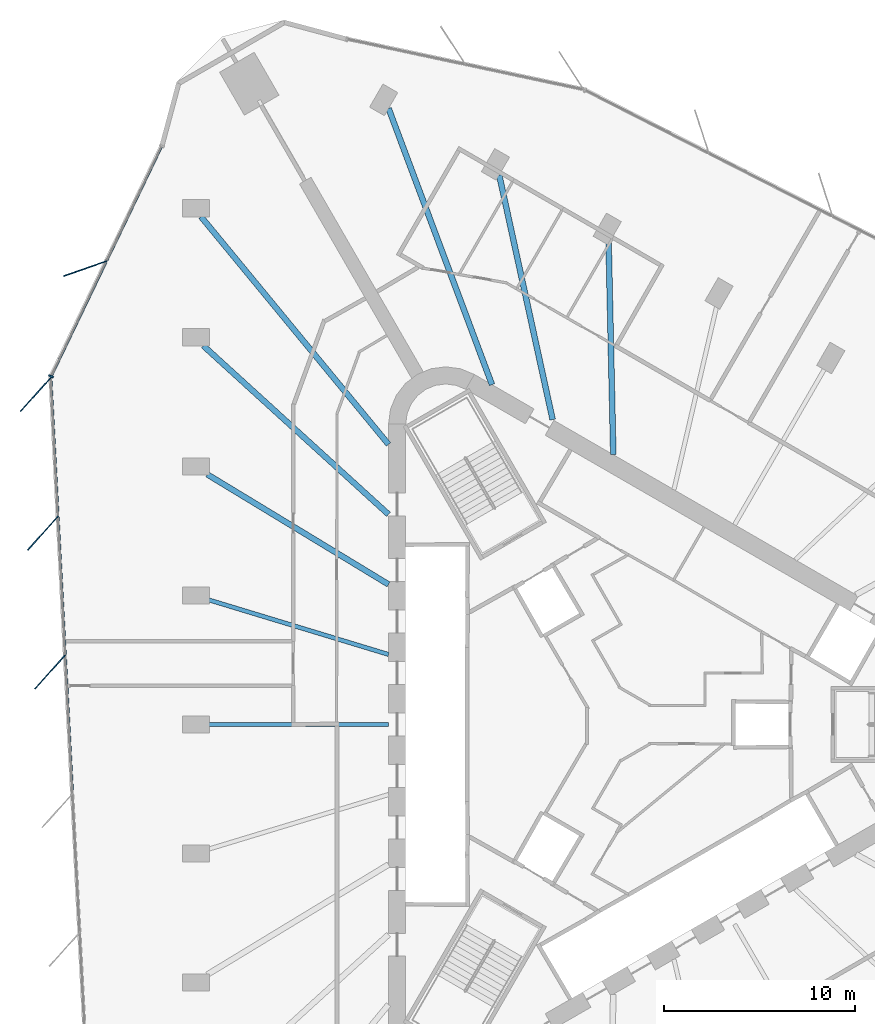
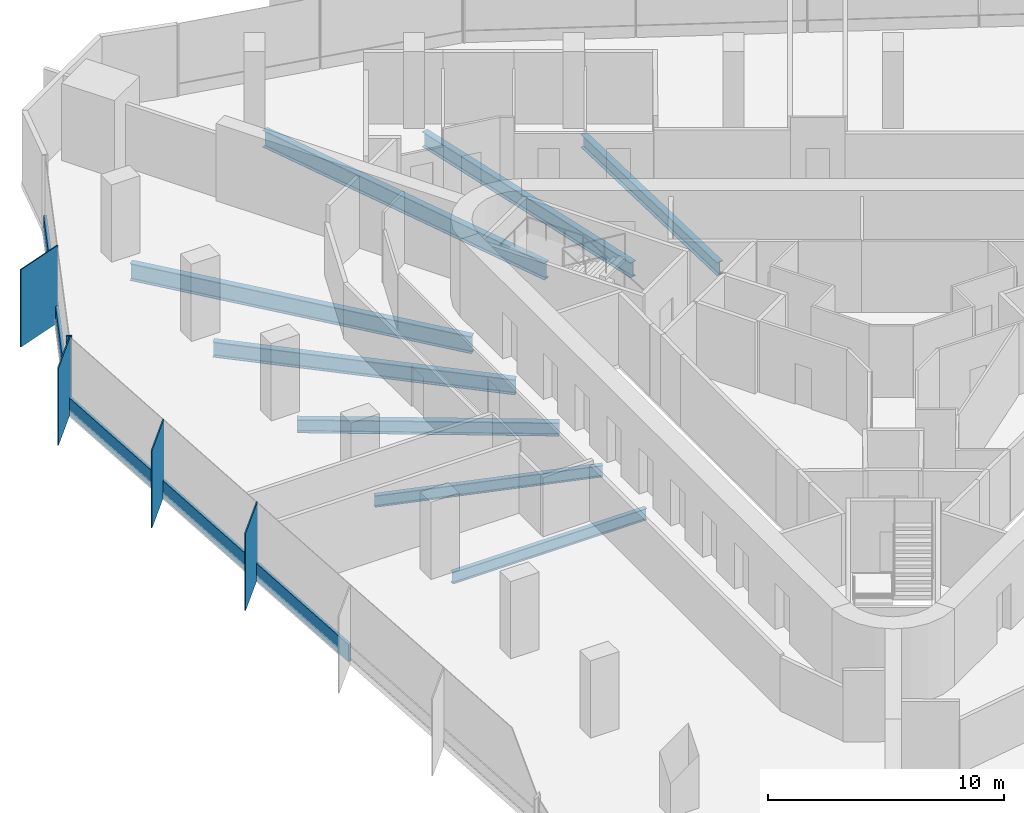
# One storey, part 4 of 14: 10 members, 8 beams, 2 elements without a shape of their own.
"""IFC4 building model written with IfcOpenShell, lengths in metres."""

import ifcopenshell
import ifcopenshell.guid

model = None  # the IFC model being written
_history = None  # IfcOwnerHistory: only IFC2X3 demands one
_inside = {}  # id of a spatial element -> (the spatial element, [elements in it])
_under = {}  # id of a project, library or spatial element -> (it, [spatial elements below it])
_declared = {}  # id of a project -> (the project, [libraries it declares])
_typed = {}  # id of a type object -> (the type object, [elements of that type])
_made_of = {}  # id of a material, layer set ... -> (it, [elements and type objects made of it])


def new_model(schema):
    """Start an empty IFC model of exactly this schema.

    Asked for "IFC4X3", IfcOpenShell would pick the latest addendum, in which some entities
    have other attributes; the version numbers below select the first issue.
    IFC2X3 requires an IfcOwnerHistory on every rooted entity: one is made here for all.
    """
    global model, _history
    if schema == "IFC4X3":
        model = ifcopenshell.file(schema_version=(4, 3, 0, 0))
    else:
        model = ifcopenshell.file(schema=schema)
    _inside.clear()
    _under.clear()
    _declared.clear()
    _typed.clear()
    _made_of.clear()
    _history = None
    if model.schema == "IFC2X3":
        org = make("IfcOrganization", Name="unknown")
        user = make(
            "IfcPersonAndOrganization",
            ThePerson=make("IfcPerson", FamilyName="unknown"),
            TheOrganization=org,
        )
        app = make(
            "IfcApplication",
            ApplicationDeveloper=org,
            Version="unknown",
            ApplicationFullName="unknown",
            ApplicationIdentifier="unknown",
        )
        _history = make(
            "IfcOwnerHistory",
            OwningUser=user,
            OwningApplication=app,
            ChangeAction="ADDED",
            CreationDate=0,
        )
    return model


def make(cls, **values):
    """One entity of the class cls with the attributes given. An attribute that is None is left unset."""
    return model.create_entity(
        cls, **{name: value for name, value in values.items() if value is not None}
    )


def rooted(cls, **values):
    """An entity with a GlobalId (a new one), such as an element, a storey or a relation."""
    return make(cls, GlobalId=ifcopenshell.guid.new(), OwnerHistory=_history, **values)


def si_unit(unit_type, name, prefix=None):
    """IfcSIUnit, for example si_unit("LENGTHUNIT", "METRE", prefix="MILLI")."""
    return make("IfcSIUnit", UnitType=unit_type, Prefix=prefix, Name=name)


def assignment(units):
    """IfcUnitAssignment: the units of a project."""
    return None if units is None else make("IfcUnitAssignment", Units=units)


def point(xyz):
    """IfcCartesianPoint."""
    return None if xyz is None else make("IfcCartesianPoint", Coordinates=xyz)


def direction(xyz):
    """IfcDirection."""
    return None if xyz is None else make("IfcDirection", DirectionRatios=xyz)


def frame(location, z_axis=None, x_axis=None):
    """IfcAxis2Placement3D, a coordinate frame: its origin and axes. An axis left out is left unset."""
    return make(
        "IfcAxis2Placement3D",
        Location=point(location),
        Axis=direction(z_axis),
        RefDirection=direction(x_axis),
    )


def frame_2d(location, x_axis=None):
    """IfcAxis2Placement2D, a coordinate frame in the plane: its origin and x axis."""
    return make(
        "IfcAxis2Placement2D", Location=point(location), RefDirection=direction(x_axis)
    )


def origin():
    """The frame at (0, 0, 0) with its axes left unset."""
    return frame((0.0, 0.0, 0.0))


def origin_2d():
    """The frame at (0, 0) in the plane with its x axis left unset."""
    return frame_2d((0.0, 0.0))


def place(relative_to, where):
    """IfcLocalPlacement: puts the frame where relative to a parent placement (None: the world)."""
    return make(
        "IfcLocalPlacement", PlacementRelTo=relative_to, RelativePlacement=where
    )


def context(
    kind, dimensions, precision=None, world=None, true_north=None, identifier=None
):
    """IfcGeometricRepresentationContext, for example the 3D "Model" context."""
    return make(
        "IfcGeometricRepresentationContext",
        ContextIdentifier=identifier,
        ContextType=kind,
        CoordinateSpaceDimension=dimensions,
        Precision=precision,
        WorldCoordinateSystem=world,
        TrueNorth=true_north,
    )


def subcontext(parent, identifier, kind, view, scale=None):
    """IfcGeometricRepresentationSubContext, for example "Body" below "Model"."""
    return make(
        "IfcGeometricRepresentationSubContext",
        ContextIdentifier=identifier,
        ContextType=kind,
        ParentContext=parent,
        TargetScale=scale,
        TargetView=view,
    )


def project(units=None, contexts=None):
    """IfcProject with its units and contexts."""
    return rooted(
        "IfcProject",
        Name="project",
        RepresentationContexts=contexts,
        UnitsInContext=assignment(units),
    )


def spatial(cls, under=None, at=None, **own):
    """A site, building, storey or space (cls), placed at a placement, below another one or the project."""
    s = rooted(cls, ObjectPlacement=at, **own)
    if under is not None:
        _under.setdefault(under.id(), (under, []))[1].append(s)
    return s


def profile(cls, at=None, kind="AREA", **sizes):
    """A parametric profile (cls). Its sizes go by their IFC names, for example OverallWidth=200.0."""
    return make(cls, ProfileType=kind, Position=at, **sizes)


def rectangle(**sizes):
    """IfcRectangleProfileDef."""
    return profile("IfcRectangleProfileDef", **sizes)


def i_section(**sizes):
    """IfcIShapeProfileDef."""
    return profile("IfcIShapeProfileDef", **sizes)


def extrude(swept, where, along, depth):
    """IfcExtrudedAreaSolid: the profile swept, set in the frame where, extruded along a direction by depth."""
    return make(
        "IfcExtrudedAreaSolid",
        SweptArea=swept,
        Position=where,
        ExtrudedDirection=direction(along),
        Depth=depth,
    )


def shape(context_of_items, identifier, shape_type, items):
    """IfcShapeRepresentation: the items that make up one representation, for example the "Body"."""
    return make(
        "IfcShapeRepresentation",
        ContextOfItems=context_of_items,
        RepresentationIdentifier=identifier,
        RepresentationType=shape_type,
        Items=items,
    )


def material(Name=None, Category=None):
    """IfcMaterial."""
    return make("IfcMaterial", Name=Name, Category=Category)


def material_profile(
    of_material, cross_section, Name=None, Category=None, Priority=None
):
    """IfcMaterialProfile: a cross section and its material."""
    return make(
        "IfcMaterialProfile",
        Name=Name,
        Material=of_material,
        Profile=cross_section,
        Priority=Priority,
        Category=Category,
    )


def profile_set(profiles, Name=None, composite=None):
    """IfcMaterialProfileSet."""
    return make(
        "IfcMaterialProfileSet",
        Name=Name,
        MaterialProfiles=profiles,
        CompositeProfile=composite,
    )


def made_of(thing, what):
    """Note that an element or type object is made of a material, layer set ...; save() writes the relation."""
    if what is not None:
        _made_of.setdefault(what.id(), (what, []))[1].append(thing)
    return thing


def type_object(cls, material=None, **own):
    """A type object (cls), such as IfcWallType, which elements share."""
    return made_of(rooted(cls, **own), material)


def element(
    cls,
    number,
    at=None,
    inside=None,
    cuts=None,
    type_object=None,
    material=None,
    context=None,
    identifier="Body",
    shape_type=None,
    held_by="IfcProductDefinitionShape",
    body=None,
    shapes=None,
    **own,
):
    """One element of the class cls, such as IfcWall. Its Tag is "e" and its number.

    at: its placement. inside: the storey or other place that contains it. cuts: it is an
    opening in that element (IfcRelVoidsElement). A single representation is given by context,
    identifier, shape_type and body (its items); several are given by shapes. held_by: the class
    of the entity that holds the representations. save() writes the other relations.
    """
    e = rooted(cls, Tag="e%d" % number, ObjectPlacement=at, **own)
    if body is not None:
        shapes = [shape(context, identifier, shape_type, body)]
    if shapes is not None:
        e.Representation = make(held_by, Representations=shapes)
    if inside is not None:
        _inside.setdefault(inside.id(), (inside, []))[1].append(e)
    if cuts is not None:
        rooted(
            "IfcRelVoidsElement", RelatingBuildingElement=cuts, RelatedOpeningElement=e
        )
    if type_object is not None:
        _typed.setdefault(type_object.id(), (type_object, []))[1].append(e)
    return made_of(e, material)


def aggregate(whole, parts):
    """IfcRelAggregates: a whole, such as a stair, and the parts it consists of."""
    return rooted("IfcRelAggregates", RelatingObject=whole, RelatedObjects=parts)


def save(model, path):
    """Write the relations noted so far, then the file.

    IfcRelAggregates (storeys below a building ...), IfcRelContainedInSpatialStructure (elements
    in a storey), IfcRelDefinesByType, IfcRelAssociatesMaterial and IfcRelDeclares: one each for
    every whole, place, type object, material and project.
    """
    for whole, parts in _under.values():
        aggregate(whole, parts)
    for where, things in _inside.values():
        rooted(
            "IfcRelContainedInSpatialStructure",
            RelatedElements=things,
            RelatingStructure=where,
        )
    for kind, things in _typed.values():
        rooted("IfcRelDefinesByType", RelatedObjects=things, RelatingType=kind)
    for what, things in _made_of.values():
        rooted("IfcRelAssociatesMaterial", RelatedObjects=things, RelatingMaterial=what)
    for by, libraries in _declared.values():
        rooted("IfcRelDeclares", RelatingContext=by, RelatedDefinitions=libraries)
    model.write(path)


model = new_model("IFC4")

# Units and contexts
model_context = context("Model", 3, precision=1e-05, world=origin(), true_north=direction((0.0, 1.0)))
body_context = subcontext(model_context, "Body", "Model", "MODEL_VIEW")
ifc_project = project(units=[si_unit("LENGTHUNIT", "METRE"), si_unit("AREAUNIT", "SQUARE_METRE"), si_unit("VOLUMEUNIT", "CUBIC_METRE"), si_unit("PLANEANGLEUNIT", "RADIAN"), si_unit("MASSUNIT", "GRAM", prefix="KILO")], contexts=[model_context])

# Site, building, storey
site_placement = place(None, origin())
site = spatial("IfcSite", under=ifc_project, at=site_placement, CompositionType="ELEMENT")
building_placement = place(site_placement, origin())
building = spatial("IfcBuilding", under=site, at=building_placement, Name="Tanit Gate Tower", CompositionType="ELEMENT")
storey_placement = place(building_placement, frame((0.0, 0.0, 205.199951171875)))
storey = spatial("IfcBuildingStorey", under=building, at=storey_placement, Name="L45", CompositionType="ELEMENT", Elevation=205.199951171875)

# Curtain wall, member
ifc_material_1 = material(Name="Aluminium bronze anodised and glass", Category="aluminium")
curtain_wall_type = type_object("IfcCurtainWallType", Name="Curtain wall typical mid", PredefinedType="NOTDEFINED", material=ifc_material_1)
curtain_wall_1_placement = place(storey_placement, origin())
curtain_wall_1 = element("IfcCurtainWall", 1, at=curtain_wall_1_placement, inside=storey, type_object=curtain_wall_type, Name="Curtain wall L45 W1", PredefinedType="NOTDEFINED")
ifc_material_2 = material(Name="Aluminium bronze anodised", Category="aluminium")
ifc_material_profile_1 = material_profile(ifc_material_2, rectangle(XDim=2.39990234375, YDim=0.055908203125, at=origin_2d()), Name="56x2400 bronze fin mullion")
ifc_profile_set_1 = profile_set([ifc_material_profile_1], Name="Aluminium bronze anodised")
member_type_1 = type_object("IfcMemberType", Name="FIN MULLION 56x2400 bronze", PredefinedType="MULLION", material=ifc_profile_set_1)
member_1_placement = place(storey_placement, frame((-28.01513671875, 23.9140625, -0.300048828125), z_axis=(0.0, 0.0, 1.0), x_axis=(0.943579951423, 0.331144795026, 0.0)))
member_1 = element("IfcMember", 2, at=member_1_placement, type_object=member_type_1, Name="Fin mullion L45 W1.2", PredefinedType="MULLION", context=body_context, shape_type="SweptSolid", body=[
    extrude(rectangle(XDim=2.39990234375, YDim=0.055908203125, at=origin_2d()), origin(), (0.0, 0.0, 1.0), 4.0),
])

# Curtain wall, members
curtain_wall_2_placement = place(storey_placement, origin())
curtain_wall_2 = element("IfcCurtainWall", 3, at=curtain_wall_2_placement, inside=storey, type_object=curtain_wall_type, Name="Curtain wall L45 W2", PredefinedType="NOTDEFINED")
member_2_placement = place(storey_placement, frame((-30.60888671875, 17.31298828125, -0.300048828125), z_axis=(0.0, 0.0, 1.0), x_axis=(0.669378375715, 0.742921658135, 0.0)))
member_2 = element("IfcMember", 4, at=member_2_placement, type_object=member_type_1, Name="Fin mullion L45 W2.1", PredefinedType="MULLION", context=body_context, shape_type="SweptSolid", body=[
    extrude(rectangle(XDim=2.39990234375, YDim=0.055908203125, at=origin_2d()), origin(), (0.0, 0.0, 1.0), 4.0),
])
member_3_placement = place(storey_placement, frame((-30.22998046875, 10.037109375, -0.300048828125), z_axis=(0.0, 0.0, 1.0), x_axis=(0.669378375715, 0.742921658135, 0.0)))
member_3 = element("IfcMember", 5, at=member_3_placement, type_object=member_type_1, Name="Fin mullion L45 W2.2", PredefinedType="MULLION", context=body_context, shape_type="SweptSolid", body=[
    extrude(rectangle(XDim=2.39990234375, YDim=0.055908203125, at=origin_2d()), origin(), (0.0, 0.0, 1.0), 4.0),
])
member_4_placement = place(storey_placement, frame((-29.85107421875, 2.760986328125, -0.300048828125), z_axis=(0.0, 0.0, 1.0), x_axis=(0.669378375715, 0.742921658135, 0.0)))
member_4 = element("IfcMember", 6, at=member_4_placement, type_object=member_type_1, Name="Fin mullion L45 W2.3", PredefinedType="MULLION", context=body_context, shape_type="SweptSolid", body=[
    extrude(rectangle(XDim=2.39990234375, YDim=0.055908203125, at=origin_2d()), origin(), (0.0, 0.0, 1.0), 4.0),
])

# Member
ifc_material_3 = material(Name="Aluminium bronze anodised", Category="aluminium")
ifc_material_profile_2 = material_profile(ifc_material_3, rectangle(XDim=0.260009765625, YDim=0.080078125, at=origin_2d()), Name="80x260 bronze mullion")
ifc_profile_set_2 = profile_set([ifc_material_profile_2], Name="Aluminium bronze anodised")
member_type_2 = type_object("IfcMemberType", Name="Mullion 80x260 typical mid", PredefinedType="MULLION", material=ifc_profile_set_2)
member_5_placement = place(storey_placement, frame((-29.8046875, 18.264892578125, -0.300048828125), z_axis=(0.0, 0.0, 1.0), x_axis=(0.90136651236, -0.433057052125, 0.0)))
member_5 = element("IfcMember", 7, at=member_5_placement, type_object=member_type_2, Name="Mullion L45 W1.3", PredefinedType="MULLION", context=body_context, shape_type="SweptSolid", body=[
    extrude(rectangle(XDim=0.260009765625, YDim=0.080078125, at=origin_2d()), origin(), (0.0, 0.0, 1.0), 4.0),
])

# Beams
ifc_material_4 = material(Name="Steel S355", Category="steel")
ifc_material_profile_3 = material_profile(ifc_material_4, i_section(OverallWidth=0.300048828125, OverallDepth=0.68994140625, WebThickness=0.014404296875, FlangeThickness=0.027099609375, FilletRadius=0.027099609375, at=origin_2d()), Name="HEA 700")
ifc_profile_set_3 = profile_set([ifc_material_profile_3], Name="Steel S355")
beam_type_1 = type_object("IfcBeamType", Name="RADIAL GIRDER HEA 700 S355", PredefinedType="BEAM", material=ifc_profile_set_3)
beam_1_placement = place(storey_placement, frame((-0.556884765625, 25.269775390625, -0.64501953125), z_axis=(0.022024571196, -0.999757429712, 0.0), x_axis=(0.999757429712, 0.022024571196, 0.0)))
element("IfcBeam", 8, at=beam_1_placement, inside=storey, type_object=beam_type_1, Name="RADIAL GIRDER", PredefinedType="BEAM", context=body_context, shape_type="SweptSolid", body=[
    extrude(i_section(OverallWidth=0.300048828125, OverallDepth=0.68994140625, WebThickness=0.014404296875, FlangeThickness=0.027099609375, FilletRadius=0.027099609375, at=origin_2d()), origin(), (0.0, 0.0, 1.0), 11.1181640625),
])
beam_2_placement = place(storey_placement, frame((-21.605712890625, 13.116943359375, -0.64501953125), z_axis=(0.854799691716, -0.518958078309, 0.0), x_axis=(0.518958078309, 0.854799691716, 0.0)))
element("IfcBeam", 9, at=beam_2_placement, inside=storey, type_object=beam_type_1, Name="RADIAL GIRDER", PredefinedType="BEAM", context=body_context, shape_type="SweptSolid", body=[
    extrude(i_section(OverallWidth=0.300048828125, OverallDepth=0.68994140625, WebThickness=0.014404296875, FlangeThickness=0.027099609375, FilletRadius=0.027099609375, at=origin_2d()), origin(), (0.0, 0.0, 1.0), 11.117919921875),
])
ifc_material_5 = material(Name="Steel S355", Category="steel")
ifc_material_profile_4 = material_profile(ifc_material_5, i_section(OverallWidth=0.300048828125, OverallDepth=0.7900390625, WebThickness=0.014892578125, FlangeThickness=0.028076171875, FilletRadius=0.030029296875, at=origin_2d()), Name="HEA 800")
ifc_profile_set_4 = profile_set([ifc_material_profile_4], Name="Steel S355")
beam_type_2 = type_object("IfcBeamType", Name="RADIAL GIRDER HEA 800 S355", PredefinedType="BEAM", material=ifc_profile_set_4)
beam_3_placement = place(storey_placement, frame((-6.2958984375, 28.821044921875, -0.695068359375), z_axis=(0.213417442775, -0.976961102153, 0.0), x_axis=(0.976961102153, 0.213417442775, 0.0)))
element("IfcBeam", 10, at=beam_3_placement, inside=storey, type_object=beam_type_2, Name="RADIAL GIRDER", PredefinedType="BEAM", context=body_context, shape_type="SweptSolid", body=[
    extrude(i_section(OverallWidth=0.300048828125, OverallDepth=0.7900390625, WebThickness=0.014892578125, FlangeThickness=0.028076171875, FilletRadius=0.030029296875, at=origin_2d()), origin(), (0.0, 0.0, 1.0), 13.132568359375),
])
beam_4_placement = place(storey_placement, frame((-21.811767578125, 19.86279296875, -0.695068359375), z_axis=(0.739370310624, -0.673299000273, 0.0), x_axis=(0.673299000273, 0.739370310624, 0.0)))
element("IfcBeam", 11, at=beam_4_placement, inside=storey, type_object=beam_type_2, Name="RADIAL GIRDER", PredefinedType="BEAM", context=body_context, shape_type="SweptSolid", body=[
    extrude(i_section(OverallWidth=0.300048828125, OverallDepth=0.7900390625, WebThickness=0.014892578125, FlangeThickness=0.028076171875, FilletRadius=0.030029296875, at=origin_2d()), origin(), (0.0, 0.0, 1.0), 13.13232421875),
])
ifc_material_6 = material(Name="Steel S355", Category="steel")
ifc_material_profile_5 = material_profile(ifc_material_6, i_section(OverallWidth=0.300048828125, OverallDepth=0.889892578125, WebThickness=0.01611328125, FlangeThickness=0.030029296875, FilletRadius=0.030029296875, at=origin_2d()), Name="HEA 900")
ifc_profile_set_5 = profile_set([ifc_material_profile_5], Name="Steel S355")
beam_type_3 = type_object("IfcBeamType", Name="RADIAL GIRDER HEA 900 S355", PredefinedType="BEAM", material=ifc_profile_set_5)
for number, where, z_axis, x_axis, name in (
    (12, (-12.09814453125, 32.3134765625, -0.744873046875), (0.350626951339, -0.936515211299, 0.0), (0.936515211299, 0.350626951339, 0.0), "RADIAL GIRDER"),
    (13, (-21.935302734375, 26.6337890625, -0.744873046875), (0.635736575047, -0.771906087, 0.0), (0.771906087, 0.635736575047, 0.0), "RADIAL GIRDER"),
):
    element("IfcBeam", number, at=place(storey_placement, frame(where, z_axis=z_axis, x_axis=x_axis)), inside=storey, type_object=beam_type_3, Name=name, PredefinedType="BEAM", context=body_context, shape_type="SweptSolid", body=[
        extrude(i_section(OverallWidth=0.300048828125, OverallDepth=0.889892578125, WebThickness=0.01611328125, FlangeThickness=0.030029296875, FilletRadius=0.030029296875, at=origin_2d()), origin(), (0.0, 0.0, 1.0), 15.467529296875),
    ])
ifc_material_7 = material(Name="Steel S355", Category="steel")
ifc_material_profile_6 = material_profile(ifc_material_7, i_section(OverallWidth=0.219970703125, OverallDepth=0.60009765625, WebThickness=0.011962890625, FlangeThickness=0.01904296875, FilletRadius=0.02392578125, at=origin_2d()), Name="IPE 600")
ifc_profile_set_6 = profile_set([ifc_material_profile_6], Name="Steel S355")
beam_type_4 = type_object("IfcBeamType", Name="RADIAL GIRDER IPE 600 S355", PredefinedType="BEAM", material=ifc_profile_set_6)
beam_5_placement = place(storey_placement, frame((-21.605712890625, 6.55859375, -0.599853515625), z_axis=(0.956881430709, -0.290478790215, 0.0), x_axis=(0.290478790215, 0.956881430709, 0.0)))
element("IfcBeam", 14, at=beam_5_placement, inside=storey, type_object=beam_type_4, Name="RADIAL GIRDER", PredefinedType="BEAM", context=body_context, shape_type="SweptSolid", body=[
    extrude(i_section(OverallWidth=0.219970703125, OverallDepth=0.60009765625, WebThickness=0.011962890625, FlangeThickness=0.01904296875, FilletRadius=0.02392578125, at=origin_2d()), origin(), (0.0, 0.0, 1.0), 9.931884765625),
])
beam_6_placement = place(storey_placement, frame((-21.605712890625, 0.0, -0.599853515625), z_axis=(1.0, 0.0, 0.0), x_axis=(0.0, 1.0, 0.0)))
element("IfcBeam", 15, at=beam_6_placement, inside=storey, type_object=beam_type_4, Name="RADIAL GIRDER", PredefinedType="BEAM", context=body_context, shape_type="SweptSolid", body=[
    extrude(i_section(OverallWidth=0.219970703125, OverallDepth=0.60009765625, WebThickness=0.011962890625, FlangeThickness=0.01904296875, FilletRadius=0.02392578125, at=origin_2d()), origin(), (0.0, 0.0, 1.0), 9.503662109375),
])

# Member
ifc_material_8 = material(Name="Aluminium bronze anodised", Category="aluminium")
ifc_material_profile_7 = material_profile(ifc_material_8, rectangle(XDim=0.139892578125, YDim=0.89990234375, at=origin_2d()), Name="140x900 bronze transom")
ifc_profile_set_7 = profile_set([ifc_material_profile_7], Name="Aluminium bronze anodised")
member_type_3 = type_object("IfcMemberType", Name="Transom 140x900 typical mid", PredefinedType="USERDEFINED", material=ifc_profile_set_7)
member_6_placement = place(storey_placement, frame((-24.0185546875, 30.307861328125, 0.150146484375), z_axis=(-0.433041543584, -0.901373963197, 0.0), x_axis=(0.901373963197, -0.433041543584, 0.0)))
member_6 = element("IfcMember", 16, at=member_6_placement, type_object=member_type_3, Name="Transom L45 W1.1", ObjectType="TRANSOM", PredefinedType="USERDEFINED", context=body_context, shape_type="SweptSolid", body=[
    extrude(rectangle(XDim=0.139892578125, YDim=0.89990234375, at=origin_2d()), origin(), (0.0, 0.0, 1.0), 6.620361328125),
])

member_7_placement = place(storey_placement, frame((-26.920166015625, 24.268310546875, 0.150146484375), z_axis=(-0.433071504157, -0.901359568811, 0.0), x_axis=(0.901359568811, -0.433071504157, 0.0)))
member_7 = element("IfcMember", 17, at=member_7_placement, type_object=member_type_3, Name="Transom L45 W1.2", ObjectType="TRANSOM", PredefinedType="USERDEFINED", context=body_context, shape_type="SweptSolid", body=[
    extrude(rectangle(XDim=0.139892578125, YDim=0.89990234375, at=origin_2d()), origin(), (0.0, 0.0, 1.0), 6.62060546875),
])

aggregate(curtain_wall_1, [member_1, member_5, member_6, member_7])

member_8_placement = place(storey_placement, frame((-29.81787109375, 18.14892578125, 0.150146484375), z_axis=(0.052005794951, -0.998646783048, 0.0), x_axis=(0.998646783048, 0.052005794951, 0.0)))
member_8 = element("IfcMember", 18, at=member_8_placement, type_object=member_type_3, Name="Transom L45 W2.1", ObjectType="TRANSOM", PredefinedType="USERDEFINED", context=body_context, shape_type="SweptSolid", body=[
    extrude(rectangle(XDim=0.139892578125, YDim=0.89990234375, at=origin_2d()), origin(), (0.0, 0.0, 1.0), 7.2060546875),
])

member_9_placement = place(storey_placement, frame((-29.43896484375, 10.872802734375, 0.150146484375), z_axis=(0.052007554582, -0.998646691411, 0.0), x_axis=(0.998646691411, 0.052007554582, 0.0)))
member_9 = element("IfcMember", 19, at=member_9_placement, type_object=member_type_3, Name="Transom L45 W2.2", ObjectType="TRANSOM", PredefinedType="USERDEFINED", context=body_context, shape_type="SweptSolid", body=[
    extrude(rectangle(XDim=0.139892578125, YDim=0.89990234375, at=origin_2d()), origin(), (0.0, 0.0, 1.0), 7.205810546875),
])

member_10_placement = place(storey_placement, frame((-29.06005859375, 3.596923828125, 0.150146484375), z_axis=(0.052005794951, -0.998646783048, 0.0), x_axis=(0.998646783048, 0.052005794951, 0.0)))
member_10 = element("IfcMember", 20, at=member_10_placement, type_object=member_type_3, Name="Transom L45 W2.3", ObjectType="TRANSOM", PredefinedType="USERDEFINED", context=body_context, shape_type="SweptSolid", body=[
    extrude(rectangle(XDim=0.139892578125, YDim=0.89990234375, at=origin_2d()), origin(), (0.0, 0.0, 1.0), 7.2060546875),
])

aggregate(curtain_wall_2, [member_2, member_3, member_4, member_8, member_9, member_10])

save(model, "model.ifc")
